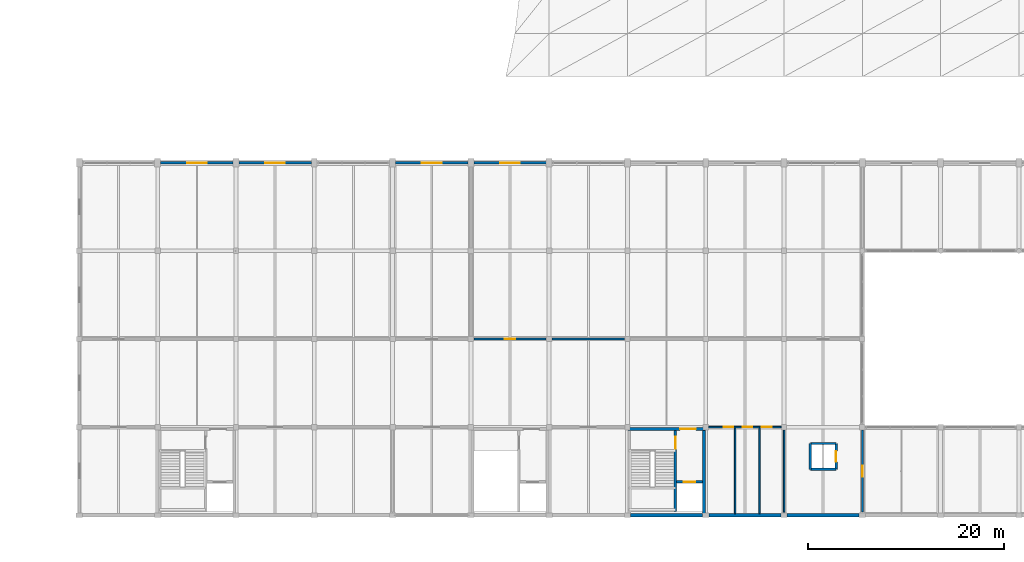
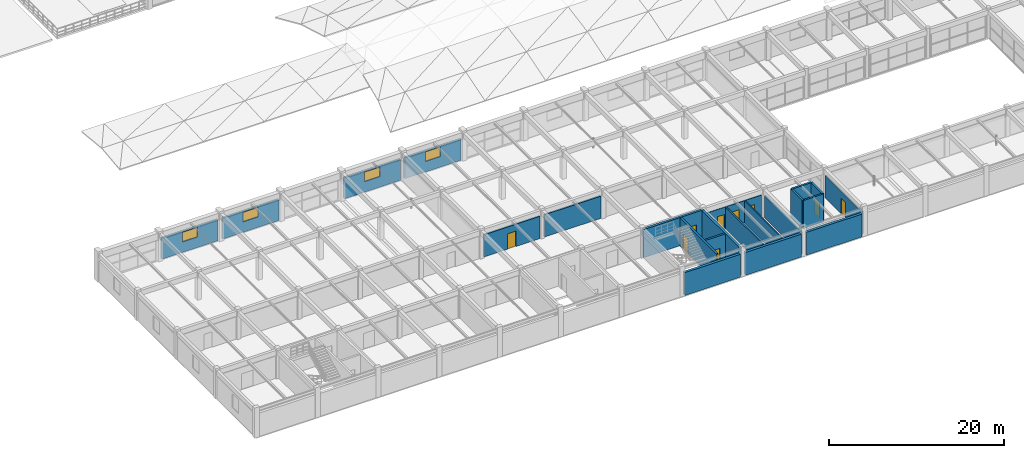
# One storey, part 44 of 63: 24 walls, 9 doors, 4 windows, 13 openings.
"""IFC4 building model written with IfcOpenShell, lengths in metres."""

from ifc_helpers import new_model, si_unit, direction, frame, frame_2d, origin, place, context, subcontext, project, spatial, rectangle, extrude, material, layer, layer_set, type_object, element, fill, save


model = new_model("IFC4")

# Units and contexts
model_context = context("Model", 3, precision=1e-05, world=origin(), true_north=direction((0.0, 1.0)))
body_context = subcontext(model_context, "Body", "Model", "MODEL_VIEW")
ifc_project = project(units=[si_unit("LENGTHUNIT", "METRE"), si_unit("AREAUNIT", "SQUARE_METRE"), si_unit("VOLUMEUNIT", "CUBIC_METRE"), si_unit("PLANEANGLEUNIT", "RADIAN"), si_unit("MASSUNIT", "GRAM", prefix="KILO")], contexts=[model_context])

# Site, building, storey
site_placement = place(None, origin())
site = spatial("IfcSite", under=ifc_project, at=site_placement, CompositionType="ELEMENT")
building_placement = place(site_placement, origin())
building = spatial("IfcBuilding", under=site, at=building_placement, Name="Varnabhumi Central Station", CompositionType="ELEMENT")
storey_placement = place(building_placement, frame((0.0, 0.0, 20.39990234375)))
storey = spatial("IfcBuildingStorey", under=building, at=storey_placement, Name="L04", CompositionType="ELEMENT", Elevation=20.39990234375)

# Wall, opening, door
ifc_material_1 = material(Name="Autoclaved aerated blockwork masonry", Category="masonry")
ifc_layer_1 = layer(ifc_material_1, 0.219970703125, Name="Autoclaved aerated blockwork masonry", Category="masonry")
ifc_layer_set_1 = layer_set([ifc_layer_1], Name="Autoclaved aerated blockwork masonry")
wall_type_1 = type_object("IfcWallType", Name="WAL-COMP-AAC-220", PredefinedType="SOLIDWALL", material=ifc_layer_set_1)
wall_1_placement = place(storey_placement, frame((72.300048828125, 18.0, 0.0), z_axis=(0.0, 0.0, 1.0), x_axis=(1.0, 0.0, 0.0)))
wall_1 = element("IfcWall", 1, at=wall_1_placement, inside=storey, type_object=wall_type_1, Name="Axle Counter and Signalling Equipment Room Corridor Partition 1", PredefinedType="SOLIDWALL", context=body_context, shape_type="SweptSolid", body=[
    extrude(rectangle(XDim=7.39990234375, YDim=0.219970703125, at=frame_2d((3.699951171875, 0.0))), origin(), (0.0, 0.0, 1.0), 3.10009765625),
])
opening_1_placement = place(wall_1_placement, frame((3.14990234375, 0.0, 0.0)))
opening_1 = element("IfcOpeningElement", 2, at=opening_1_placement, cuts=wall_1, Name="Opening FD-60", PredefinedType="OPENING", context=body_context, shape_type="SweptSolid", body=[
    extrude(rectangle(XDim=1.10009765625, YDim=2.14990234375, at=frame_2d((0.550048828125, 1.074951171875))), frame((0.0, 0.119873046875, 0.0), z_axis=(0.0, -1.0, 0.0), x_axis=(1.0, 0.0, 0.0)), (0.0, 0.0, 1.0), 0.239990234375),
])
ifc_material_2 = material(Name="Intumescent-treated hardwood timber", Category="wood")
door_type_1 = type_object("IfcDoorType", Name="DR-FIRE-60-1100", OperationType="NOTDEFINED", PredefinedType="DOOR", material=ifc_material_2)
door_1_placement = place(opening_1_placement, frame((1.10009765625, 0.0, 0.0), z_axis=(0.0, 0.0, 1.0), x_axis=(-1.0, 0.0, 0.0)))
door_1 = element("IfcDoor", 3, at=door_1_placement, inside=storey, type_object=door_type_1, Name="Axle Counter and Signalling Equipment Room Door 1", OperationType="SINGLE_SWING_RIGHT", OverallHeight=2.14990234375, OverallWidth=1.10009765625, PredefinedType="DOOR", context=body_context, shape_type="SweptSolid", body=[
    extrude(rectangle(XDim=1.10009765625, YDim=2.14990234375, at=frame_2d((0.550048828125, 1.074951171875))), frame((0.0, 0.02490234375, 0.0), z_axis=(0.0, -1.0, 0.0), x_axis=(1.0, 0.0, 0.0)), (0.0, 0.0, 1.0), 0.050048828125),
])
fill(opening_1, door_1)

# Wall
wall_2_placement = place(storey_placement, frame((80.300048828125, 18.0, 0.0), z_axis=(0.0, 0.0, 1.0), x_axis=(1.0, 0.0, 0.0)))
element("IfcWall", 4, at=wall_2_placement, inside=storey, type_object=wall_type_1, Name="Axle Counter and Signalling Equipment Room Corridor Partition 2", PredefinedType="SOLIDWALL", context=body_context, shape_type="SweptSolid", body=[
    extrude(rectangle(XDim=7.39990234375, YDim=0.219970703125, at=frame_2d((3.699951171875, 0.0))), origin(), (0.0, 0.0, 1.0), 3.10009765625),
])

# Wall, opening, door
wall_3_placement = place(storey_placement, frame((112.0, 0.300048828125, 0.0), z_axis=(0.0, 0.0, 1.0), x_axis=(0.0, 1.0, 0.0)))
wall_3 = element("IfcWall", 5, at=wall_3_placement, inside=storey, type_object=wall_type_1, Name="Signalling and Telecom Spares Store E Partition 1", PredefinedType="SOLIDWALL", context=body_context, shape_type="SweptSolid", body=[
    extrude(rectangle(XDim=8.39990234375, YDim=0.219970703125, at=frame_2d((4.199951171875, 0.0))), origin(), (0.0, 0.0, 1.0), 3.10009765625),
])
opening_2_placement = place(wall_3_placement, frame((3.64990234375, 0.0, 0.0)))
opening_2 = element("IfcOpeningElement", 6, at=opening_2_placement, cuts=wall_3, Name="Opening FD-60", PredefinedType="OPENING", context=body_context, shape_type="SweptSolid", body=[
    extrude(rectangle(XDim=1.10009765625, YDim=2.14990234375, at=frame_2d((0.550048828125, 1.074951171875))), frame((0.0, 0.119873046875, 0.0), z_axis=(0.0, -1.0, 0.0), x_axis=(1.0, 0.0, 0.0)), (0.0, 0.0, 1.0), 0.239990234375),
])
door_2_placement = place(opening_2_placement, frame((1.10009765625, 0.0, 0.0), z_axis=(0.0, 0.0, 1.0), x_axis=(-1.0, 0.0, 0.0)))
door_2 = element("IfcDoor", 7, at=door_2_placement, inside=storey, type_object=door_type_1, Name="Signalling and Telecom Spares Store Corridor Access Door", OperationType="SINGLE_SWING_LEFT", OverallHeight=2.14990234375, OverallWidth=1.10009765625, PredefinedType="DOOR", context=body_context, shape_type="SweptSolid", body=[
    extrude(rectangle(XDim=1.10009765625, YDim=2.14990234375, at=frame_2d((0.550048828125, 1.074951171875))), frame((0.0, 0.02490234375, 0.0), z_axis=(0.0, -1.0, 0.0), x_axis=(1.0, 0.0, 0.0)), (0.0, 0.0, 1.0), 0.050048828125),
])
fill(opening_2, door_2)

# Wall
ifc_material_3 = material(Name="Concrete M40", Category="concrete")
ifc_layer_2 = layer(ifc_material_3, 0.300048828125, Name="Concrete M40", Category="concrete")
ifc_layer_set_2 = layer_set([ifc_layer_2], Name="Concrete M40")
wall_type_2 = type_object("IfcWallType", Name="WAL-CORE-RC-300", PredefinedType="SHEAR", material=ifc_layer_set_2)
wall_4_placement = place(storey_placement, frame((95.820068359375, 0.179931640625, 0.0), z_axis=(0.0, 0.0, 1.0), x_axis=(0.0, 1.0, 0.0)))
element("IfcWall", 8, at=wall_4_placement, inside=storey, type_object=wall_type_2, Name="SC2 L04 East Shear Wall", PredefinedType="SHEAR", context=body_context, shape_type="SweptSolid", body=[
    extrude(rectangle(XDim=8.64013671875, YDim=0.300048828125, at=frame_2d((4.320068359375, 0.0))), origin(), (0.0, 0.0, 1.0), 3.920166015625),
])

# Wall, opening, door
wall_5_placement = place(storey_placement, frame((88.030029296875, 8.820068359375, 0.0), z_axis=(0.0, 0.0, 1.0), x_axis=(1.0, 0.0, 0.0)))
wall_5 = element("IfcWall", 9, at=wall_5_placement, inside=storey, type_object=wall_type_2, Name="SC2 L04 Corridor Shear Wall", PredefinedType="SHEAR", context=body_context, shape_type="SweptSolid", body=[
    extrude(rectangle(XDim=7.93994140625, YDim=0.300048828125, at=frame_2d((3.969970703125, 0.0))), origin(), (0.0, 0.0, 1.0), 3.920166015625),
])
opening_3_placement = place(wall_5_placement, frame((5.35009765625, 0.0, 0.0)))
opening_3 = element("IfcOpeningElement", 10, at=opening_3_placement, cuts=wall_5, Name="Opening FD-60D", PredefinedType="OPENING", context=body_context, shape_type="SweptSolid", body=[
    extrude(rectangle(XDim=1.60009765625, YDim=2.14990234375, at=frame_2d((0.800048828125, 1.074951171875))), frame((0.0, 0.159912109375, 0.0), z_axis=(0.0, -1.0, 0.0), x_axis=(1.0, 0.0, 0.0)), (0.0, 0.0, 1.0), 0.320068359375),
])
door_type_2 = type_object("IfcDoorType", Name="DR-FIRE-60-1600", OperationType="NOTDEFINED", PredefinedType="DOOR", material=ifc_material_2)
door_3_placement = place(opening_3_placement, origin())
door_3 = element("IfcDoor", 11, at=door_3_placement, inside=storey, type_object=door_type_2, Name="SC2 L04 Lobby Fire Door", OperationType="DOUBLE_DOOR_SINGLE_SWING", OverallHeight=2.14990234375, OverallWidth=1.60009765625, PredefinedType="DOOR", context=body_context, shape_type="SweptSolid", body=[
    extrude(rectangle(XDim=1.60009765625, YDim=2.14990234375, at=frame_2d((0.800048828125, 1.074951171875))), frame((0.0, 0.02490234375, 0.0), z_axis=(0.0, -1.0, 0.0), x_axis=(1.0, 0.0, 0.0)), (0.0, 0.0, 1.0), 0.050048828125),
])
fill(opening_3, door_3)

# Wall, opening, window
ifc_layer_3 = layer(ifc_material_1, 0.260009765625, Name="Autoclaved aerated blockwork masonry", Category="masonry")
ifc_layer_set_3 = layer_set([ifc_layer_3], Name="Autoclaved aerated blockwork masonry")
wall_type_3 = type_object("IfcWallType", Name="WAL-EXT-STUCCO-260", PredefinedType="SOLIDWALL", material=ifc_layer_set_3)
wall_6_placement = place(storey_placement, frame((40.294921875, 36.0, 0.0), z_axis=(0.0, 0.0, 1.0), x_axis=(1.0, 0.0, 0.0)))
wall_6 = element("IfcWall", 12, at=wall_6_placement, inside=storey, type_object=wall_type_3, Name="South Spine Wall L04-2", PredefinedType="SOLIDWALL", context=body_context, shape_type="SweptSolid", body=[
    extrude(rectangle(XDim=7.41015625, YDim=0.260009765625, at=frame_2d((3.705078125, 0.0))), origin(), (0.0, 0.0, 1.0), 2.93017578125),
])
opening_4_placement = place(wall_6_placement, frame((2.705078125, 0.0, 1.449951171875)))
opening_4 = element("IfcOpeningElement", 13, at=opening_4_placement, cuts=wall_6, Name="Opening W-06", PredefinedType="OPENING", context=body_context, shape_type="SweptSolid", body=[
    extrude(rectangle(XDim=2.0, YDim=1.340087890625, at=frame_2d((1.0, 0.669921875))), frame((0.0, 0.139892578125, 0.0), z_axis=(0.0, -1.0, 0.0), x_axis=(1.0, 0.0, 0.0)), (0.0, 0.0, 1.0), 0.280029296875),
])
ifc_material_4 = material(Name="Laminated low-E double glazing", Category="glass")
window_type = type_object("IfcWindowType", Name="WIN-OPS-2000x1900", PartitioningType="DOUBLE_PANEL_VERTICAL", PredefinedType="WINDOW", material=ifc_material_4)
window_1_placement = place(opening_4_placement, origin())
window_1 = element("IfcWindow", 14, at=window_1_placement, inside=storey, type_object=window_type, Name="South Spine Overlook Window L04-2", OverallHeight=1.340087890625, OverallWidth=2.0, PartitioningType="SINGLE_PANEL", PredefinedType="WINDOW", context=body_context, shape_type="SweptSolid", body=[
    extrude(rectangle(XDim=2.0, YDim=1.340087890625, at=frame_2d((1.0, 0.669921875))), frame((0.0, 0.030029296875, 0.0), z_axis=(0.0, -1.0, 0.0), x_axis=(1.0, 0.0, 0.0)), (0.0, 0.0, 1.0), 0.06005859375),
])
fill(opening_4, window_1)

wall_7_placement = place(storey_placement, frame((48.294921875, 36.0, 0.0), z_axis=(0.0, 0.0, 1.0), x_axis=(1.0, 0.0, 0.0)))
wall_7 = element("IfcWall", 15, at=wall_7_placement, inside=storey, type_object=wall_type_3, Name="South Spine Wall L04-3", PredefinedType="SOLIDWALL", context=body_context, shape_type="SweptSolid", body=[
    extrude(rectangle(XDim=7.41015625, YDim=0.260009765625, at=frame_2d((3.705078125, 0.0))), origin(), (0.0, 0.0, 1.0), 2.93017578125),
])
opening_5_placement = place(wall_7_placement, frame((2.705078125, 0.0, 1.449951171875)))
opening_5 = element("IfcOpeningElement", 16, at=opening_5_placement, cuts=wall_7, Name="Opening W-06", PredefinedType="OPENING", context=body_context, shape_type="SweptSolid", body=[
    extrude(rectangle(XDim=2.0, YDim=1.340087890625, at=frame_2d((1.0, 0.669921875))), frame((0.0, 0.139892578125, 0.0), z_axis=(0.0, -1.0, 0.0), x_axis=(1.0, 0.0, 0.0)), (0.0, 0.0, 1.0), 0.280029296875),
])
window_2_placement = place(opening_5_placement, origin())
window_2 = element("IfcWindow", 17, at=window_2_placement, inside=storey, type_object=window_type, Name="South Spine Overlook Window L04-3", OverallHeight=1.340087890625, OverallWidth=2.0, PartitioningType="SINGLE_PANEL", PredefinedType="WINDOW", context=body_context, shape_type="SweptSolid", body=[
    extrude(rectangle(XDim=2.0, YDim=1.340087890625, at=frame_2d((1.0, 0.669921875))), frame((0.0, 0.030029296875, 0.0), z_axis=(0.0, -1.0, 0.0), x_axis=(1.0, 0.0, 0.0)), (0.0, 0.0, 1.0), 0.06005859375),
])
fill(opening_5, window_2)

wall_8_placement = place(storey_placement, frame((64.294921875, 36.0, 0.0), z_axis=(0.0, 0.0, 1.0), x_axis=(1.0, 0.0, 0.0)))
wall_8 = element("IfcWall", 18, at=wall_8_placement, inside=storey, type_object=wall_type_3, Name="South Spine Wall L04-5", PredefinedType="SOLIDWALL", context=body_context, shape_type="SweptSolid", body=[
    extrude(rectangle(XDim=7.41015625, YDim=0.260009765625, at=frame_2d((3.705078125, 0.0))), origin(), (0.0, 0.0, 1.0), 2.93017578125),
])
opening_6_placement = place(wall_8_placement, frame((2.705078125, 0.0, 1.449951171875)))
opening_6 = element("IfcOpeningElement", 19, at=opening_6_placement, cuts=wall_8, Name="Opening W-06", PredefinedType="OPENING", context=body_context, shape_type="SweptSolid", body=[
    extrude(rectangle(XDim=2.0, YDim=1.340087890625, at=frame_2d((1.0, 0.669921875))), frame((0.0, 0.139892578125, 0.0), z_axis=(0.0, -1.0, 0.0), x_axis=(1.0, 0.0, 0.0)), (0.0, 0.0, 1.0), 0.280029296875),
])
window_3_placement = place(opening_6_placement, origin())
window_3 = element("IfcWindow", 20, at=window_3_placement, inside=storey, type_object=window_type, Name="South Spine Overlook Window L04-5", OverallHeight=1.340087890625, OverallWidth=2.0, PartitioningType="SINGLE_PANEL", PredefinedType="WINDOW", context=body_context, shape_type="SweptSolid", body=[
    extrude(rectangle(XDim=2.0, YDim=1.340087890625, at=frame_2d((1.0, 0.669921875))), frame((0.0, 0.030029296875, 0.0), z_axis=(0.0, -1.0, 0.0), x_axis=(1.0, 0.0, 0.0)), (0.0, 0.0, 1.0), 0.06005859375),
])
fill(opening_6, window_3)

wall_9_placement = place(storey_placement, frame((72.294921875, 36.0, 0.0), z_axis=(0.0, 0.0, 1.0), x_axis=(1.0, 0.0, 0.0)))
wall_9 = element("IfcWall", 21, at=wall_9_placement, inside=storey, type_object=wall_type_3, Name="South Spine Wall L04-6", PredefinedType="SOLIDWALL", context=body_context, shape_type="SweptSolid", body=[
    extrude(rectangle(XDim=7.41015625, YDim=0.260009765625, at=frame_2d((3.705078125, 0.0))), origin(), (0.0, 0.0, 1.0), 2.93017578125),
])
opening_7_placement = place(wall_9_placement, frame((2.705078125, 0.0, 1.449951171875)))
opening_7 = element("IfcOpeningElement", 22, at=opening_7_placement, cuts=wall_9, Name="Opening W-06", PredefinedType="OPENING", context=body_context, shape_type="SweptSolid", body=[
    extrude(rectangle(XDim=2.0, YDim=1.340087890625, at=frame_2d((1.0, 0.669921875))), frame((0.0, 0.139892578125, 0.0), z_axis=(0.0, -1.0, 0.0), x_axis=(1.0, 0.0, 0.0)), (0.0, 0.0, 1.0), 0.280029296875),
])
window_4_placement = place(opening_7_placement, origin())
window_4 = element("IfcWindow", 23, at=window_4_placement, inside=storey, type_object=window_type, Name="South Spine Overlook Window L04-6", OverallHeight=1.340087890625, OverallWidth=2.0, PartitioningType="SINGLE_PANEL", PredefinedType="WINDOW", context=body_context, shape_type="SweptSolid", body=[
    extrude(rectangle(XDim=2.0, YDim=1.340087890625, at=frame_2d((1.0, 0.669921875))), frame((0.0, 0.030029296875, 0.0), z_axis=(0.0, -1.0, 0.0), x_axis=(1.0, 0.0, 0.0)), (0.0, 0.0, 1.0), 0.06005859375),
])
fill(opening_7, window_4)

# Wall, opening, door
ifc_layer_4 = layer(ifc_material_1, 0.159912109375, Name="Autoclaved aerated blockwork masonry", Category="masonry")
ifc_layer_set_4 = layer_set([ifc_layer_4], Name="Autoclaved aerated blockwork masonry")
wall_type_4 = type_object("IfcWallType", Name="WAL-PART-AAC-160", PredefinedType="PARTITIONING", material=ifc_layer_set_4)
wall_10_placement = place(storey_placement, frame((96.300048828125, 9.0, 0.0), z_axis=(0.0, 0.0, 1.0), x_axis=(1.0, 0.0, 0.0)))
wall_10 = element("IfcWall", 24, at=wall_10_placement, inside=storey, type_object=wall_type_4, Name="Staff Male WC L04 South Corridor Partition 1", PredefinedType="PARTITIONING", context=body_context, shape_type="SweptSolid", body=[
    extrude(rectangle(XDim=2.699951171875, YDim=0.159912109375, at=frame_2d((1.35009765625, 0.0))), origin(), (0.0, 0.0, 1.0), 3.10009765625),
])
opening_8_placement = place(wall_10_placement, frame((1.550048828125, 0.0, 0.0)))
opening_8 = element("IfcOpeningElement", 25, at=opening_8_placement, cuts=wall_10, Name="Opening D-04", PredefinedType="OPENING", context=body_context, shape_type="SweptSolid", body=[
    extrude(rectangle(XDim=0.949951171875, YDim=2.10009765625, at=frame_2d((0.47509765625, 1.050048828125))), frame((0.0, 0.08984375, 0.0), z_axis=(0.0, -1.0, 0.0), x_axis=(1.0, 0.0, 0.0)), (0.0, 0.0, 1.0), 0.179931640625),
])
door_type_3 = type_object("IfcDoorType", Name="DR-WC-950", OperationType="NOTDEFINED", PredefinedType="DOOR", material=ifc_material_2)
door_4_placement = place(opening_8_placement, origin())
door_4 = element("IfcDoor", 26, at=door_4_placement, inside=storey, type_object=door_type_3, Name="Staff Male WC L04 South Door 1", OperationType="SINGLE_SWING_RIGHT", OverallHeight=2.10009765625, OverallWidth=0.949951171875, PredefinedType="DOOR", context=body_context, shape_type="SweptSolid", body=[
    extrude(rectangle(XDim=0.949951171875, YDim=2.10009765625, at=frame_2d((0.47509765625, 1.050048828125))), frame((0.0, 0.02490234375, 0.0), z_axis=(0.0, -1.0, 0.0), x_axis=(1.0, 0.0, 0.0)), (0.0, 0.0, 1.0), 0.050048828125),
])
fill(opening_8, door_4)

# Wall
wall_11_placement = place(storey_placement, frame((99.0, 0.159912109375, 0.0), z_axis=(0.0, 0.0, 1.0), x_axis=(0.0, 1.0, 0.0)))
element("IfcWall", 27, at=wall_11_placement, inside=storey, type_object=wall_type_4, Name="Staff Male WC L04 South W Partition 1", PredefinedType="PARTITIONING", context=body_context, shape_type="SweptSolid", body=[
    extrude(rectangle(XDim=8.760009765625, YDim=0.159912109375, at=frame_2d((4.3798828125, 0.0))), origin(), (0.0, 0.0, 1.0), 3.10009765625),
])

# Wall, opening, door
wall_12_placement = place(storey_placement, frame((99.0, 9.0, 0.0), z_axis=(0.0, 0.0, 1.0), x_axis=(1.0, 0.0, 0.0)))
wall_12 = element("IfcWall", 28, at=wall_12_placement, inside=storey, type_object=wall_type_4, Name="Staff Female WC L04 South Corridor Partition 1", PredefinedType="PARTITIONING", context=body_context, shape_type="SweptSolid", body=[
    extrude(rectangle(XDim=2.5, YDim=0.159912109375, at=frame_2d((1.25, 0.0))), origin(), (0.0, 0.0, 1.0), 3.10009765625),
])
opening_9_placement = place(wall_12_placement, frame((0.77490234375, 0.0, 0.0)))
opening_9 = element("IfcOpeningElement", 29, at=opening_9_placement, cuts=wall_12, Name="Opening D-04", PredefinedType="OPENING", context=body_context, shape_type="SweptSolid", body=[
    extrude(rectangle(XDim=0.949951171875, YDim=2.10009765625, at=frame_2d((0.47509765625, 1.050048828125))), frame((0.0, 0.08984375, 0.0), z_axis=(0.0, -1.0, 0.0), x_axis=(1.0, 0.0, 0.0)), (0.0, 0.0, 1.0), 0.179931640625),
])
door_5_placement = place(opening_9_placement, origin())
door_5 = element("IfcDoor", 30, at=door_5_placement, inside=storey, type_object=door_type_3, Name="Staff Female WC L04 South Door 1", OperationType="SINGLE_SWING_LEFT", OverallHeight=2.10009765625, OverallWidth=0.949951171875, PredefinedType="DOOR", context=body_context, shape_type="SweptSolid", body=[
    extrude(rectangle(XDim=0.949951171875, YDim=2.10009765625, at=frame_2d((0.47509765625, 1.050048828125))), frame((0.0, 0.02490234375, 0.0), z_axis=(0.0, -1.0, 0.0), x_axis=(1.0, 0.0, 0.0)), (0.0, 0.0, 1.0), 0.050048828125),
])
fill(opening_9, door_5)

# Wall
wall_13_placement = place(storey_placement, frame((101.5, 0.159912109375, 0.0), z_axis=(0.0, 0.0, 1.0), x_axis=(0.0, 1.0, 0.0)))
element("IfcWall", 31, at=wall_13_placement, inside=storey, type_object=wall_type_4, Name="Staff Female WC L04 South W Partition 1", PredefinedType="PARTITIONING", context=body_context, shape_type="SweptSolid", body=[
    extrude(rectangle(XDim=8.760009765625, YDim=0.159912109375, at=frame_2d((4.3798828125, 0.0))), origin(), (0.0, 0.0, 1.0), 3.10009765625),
])

# Wall, opening, door
wall_14_placement = place(storey_placement, frame((101.5, 9.0, 0.0), z_axis=(0.0, 0.0, 1.0), x_axis=(1.0, 0.0, 0.0)))
wall_14 = element("IfcWall", 32, at=wall_14_placement, inside=storey, type_object=wall_type_4, Name="Accessible WC L04 South Corridor Partition 1", PredefinedType="PARTITIONING", context=body_context, shape_type="SweptSolid", body=[
    extrude(rectangle(XDim=2.199951171875, YDim=0.159912109375, at=frame_2d((1.10009765625, 0.0))), origin(), (0.0, 0.0, 1.0), 3.10009765625),
])
opening_10_placement = place(wall_14_placement, frame((0.199951171875, 0.0, 0.0)))
opening_10 = element("IfcOpeningElement", 33, at=opening_10_placement, cuts=wall_14, Name="Opening D-05", PredefinedType="OPENING", context=body_context, shape_type="SweptSolid", body=[
    extrude(rectangle(XDim=1.050048828125, YDim=2.10009765625, at=frame_2d((0.52490234375, 1.050048828125))), frame((0.0, 0.08984375, 0.0), z_axis=(0.0, -1.0, 0.0), x_axis=(1.0, 0.0, 0.0)), (0.0, 0.0, 1.0), 0.179931640625),
])
door_type_4 = type_object("IfcDoorType", Name="DR-ACC-WC-1050", OperationType="NOTDEFINED", PredefinedType="DOOR", material=ifc_material_2)
door_6_placement = place(opening_10_placement, origin())
door_6 = element("IfcDoor", 34, at=door_6_placement, inside=storey, type_object=door_type_4, Name="Accessible WC L04 South Door 1", OperationType="SINGLE_SWING_RIGHT", OverallHeight=2.10009765625, OverallWidth=1.050048828125, PredefinedType="DOOR", context=body_context, shape_type="SweptSolid", body=[
    extrude(rectangle(XDim=1.050048828125, YDim=2.10009765625, at=frame_2d((0.52490234375, 1.050048828125))), frame((0.0, 0.02490234375, 0.0), z_axis=(0.0, -1.0, 0.0), x_axis=(1.0, 0.0, 0.0)), (0.0, 0.0, 1.0), 0.050048828125),
])
fill(opening_10, door_6)

# Wall
wall_15_placement = place(storey_placement, frame((104.0, 0.300048828125, 0.0), z_axis=(0.0, 0.0, 1.0), x_axis=(0.0, 1.0, 0.0)))
element("IfcWall", 35, at=wall_15_placement, inside=storey, type_object=wall_type_4, Name="Accessible WC L04 South W Partition 1", PredefinedType="PARTITIONING", context=body_context, shape_type="SweptSolid", body=[
    extrude(rectangle(XDim=8.39990234375, YDim=0.159912109375, at=frame_2d((4.199951171875, 0.0))), origin(), (0.0, 0.0, 1.0), 3.10009765625),
])

# Wall, opening, door
ifc_layer_5 = layer(ifc_material_3, 0.239990234375, Name="Concrete M40", Category="concrete")
ifc_layer_set_5 = layer_set([ifc_layer_5], Name="Concrete M40")
wall_type_5 = type_object("IfcWallType", Name="WAL-SHAFT-RC-240", PredefinedType="SHEAR", material=ifc_layer_set_5)
wall_16_placement = place(storey_placement, frame((92.89990234375, 0.35009765625, 0.0), z_axis=(0.0, 0.0, 1.0), x_axis=(0.0, 1.0, 0.0)))
wall_16 = element("IfcWall", 36, at=wall_16_placement, inside=storey, type_object=wall_type_5, Name="SC2 L04 Stair-Lobby Divider Wall", PredefinedType="SHEAR", context=body_context, shape_type="SweptSolid", body=[
    extrude(rectangle(XDim=8.2998046875, YDim=0.239990234375, at=frame_2d((4.14990234375, 0.0))), origin(), (0.0, 0.0, 1.0), 3.920166015625),
])
opening_11_placement = place(wall_16_placement, frame((6.449951171875, 0.0, 0.0)))
opening_11 = element("IfcOpeningElement", 37, at=opening_11_placement, cuts=wall_16, Name="Opening FD-120", PredefinedType="OPENING", context=body_context, shape_type="SweptSolid", body=[
    extrude(rectangle(XDim=1.199951171875, YDim=2.14990234375, at=frame_2d((0.60009765625, 1.074951171875))), frame((0.0, 0.1298828125, 0.0), z_axis=(0.0, -1.0, 0.0), x_axis=(1.0, 0.0, 0.0)), (0.0, 0.0, 1.0), 0.260009765625),
])
ifc_material_5 = material(Name="Stainless steel Grade 316", Category="steel")
door_type_5 = type_object("IfcDoorType", Name="DR-FIRE-120-1200", OperationType="NOTDEFINED", PredefinedType="DOOR", material=ifc_material_5)
door_7_placement = place(opening_11_placement, frame((1.199951171875, 0.0, 0.0), z_axis=(0.0, 0.0, 1.0), x_axis=(-1.0, 0.0, 0.0)))
door_7 = element("IfcDoor", 38, at=door_7_placement, inside=storey, type_object=door_type_5, Name="ST-S2 L04 Fire Door", OperationType="SINGLE_SWING_LEFT", OverallHeight=2.14990234375, OverallWidth=1.199951171875, PredefinedType="DOOR", context=body_context, shape_type="SweptSolid", body=[
    extrude(rectangle(XDim=1.199951171875, YDim=2.14990234375, at=frame_2d((0.60009765625, 1.074951171875))), frame((0.0, 0.02490234375, 0.0), z_axis=(0.0, -1.0, 0.0), x_axis=(1.0, 0.0, 0.0)), (0.0, 0.0, 1.0), 0.050048828125),
])
fill(opening_11, door_7)

wall_17_placement = place(storey_placement, frame((93.02001953125, 3.39990234375, 0.0), z_axis=(0.0, 0.0, 1.0), x_axis=(1.0, 0.0, 0.0)))
wall_17 = element("IfcWall", 39, at=wall_17_placement, inside=storey, type_object=wall_type_5, Name="FL-2 L04 Lift Shaft Front Wall", PredefinedType="SHEAR", context=body_context, shape_type="SweptSolid", body=[
    extrude(rectangle(XDim=2.6298828125, YDim=0.239990234375, at=frame_2d((1.31494140625, 0.0))), origin(), (0.0, 0.0, 1.0), 3.920166015625),
])
opening_12_placement = place(wall_17_placement, frame((0.715087890625, 0.0, 0.0)))
opening_12 = element("IfcOpeningElement", 40, at=opening_12_placement, cuts=wall_17, Name="Opening LD-FL-2", PredefinedType="OPENING", context=body_context, shape_type="SweptSolid", body=[
    extrude(rectangle(XDim=1.199951171875, YDim=2.14990234375, at=frame_2d((0.60009765625, 1.074951171875))), frame((0.0, 0.1298828125, 0.0), z_axis=(0.0, -1.0, 0.0), x_axis=(1.0, 0.0, 0.0)), (0.0, 0.0, 1.0), 0.260009765625),
])
door_type_6 = type_object("IfcDoorType", Name="DR-LIFT-FIRE-1200", OperationType="NOTDEFINED", PredefinedType="DOOR", material=ifc_material_5)
door_8_placement = place(opening_12_placement, origin())
door_8 = element("IfcDoor", 41, at=door_8_placement, inside=storey, type_object=door_type_6, Name="Lift Landing Door FL-2 L04", OperationType="DOUBLE_DOOR_SLIDING", OverallHeight=2.14990234375, OverallWidth=1.199951171875, PredefinedType="DOOR", context=body_context, shape_type="SweptSolid", body=[
    extrude(rectangle(XDim=1.199951171875, YDim=2.14990234375, at=frame_2d((0.60009765625, 1.074951171875))), frame((0.0, 0.02490234375, 0.0), z_axis=(0.0, -1.0, 0.0), x_axis=(1.0, 0.0, 0.0)), (0.0, 0.0, 1.0), 0.050048828125),
])
fill(opening_12, door_8)

# Walls
for number, where, z_axis, x_axis, name in (
    (42, (106.679931640625, 4.679931640625, 0.0), (0.0, 0.0, 1.0), (0.0, 1.0, 0.0), "PL-8 L04 Shaft West Wall"),
    (43, (106.679931640625, 4.679931640625, 0.0), (0.0, 0.0, 1.0), (1.0, 0.0, 0.0), "PL-8 L04 Shaft South Wall"),
    (44, (106.679931640625, 7.320068359375, 0.0), (0.0, 0.0, 1.0), (1.0, 0.0, 0.0), "PL-8 L04 Shaft North Wall"),
):
    element("IfcWall", number, at=place(storey_placement, frame(where, z_axis=z_axis, x_axis=x_axis)), inside=storey, type_object=wall_type_5, Name=name, PredefinedType="SHEAR", context=body_context, shape_type="SweptSolid", body=[
        extrude(rectangle(XDim=2.64013671875, YDim=0.239990234375, at=frame_2d((1.320068359375, 0.0))), origin(), (0.0, 0.0, 1.0), 3.920166015625),
    ])

# Wall, opening, door
wall_18_placement = place(storey_placement, frame((109.320068359375, 4.679931640625, 0.0), z_axis=(0.0, 0.0, 1.0), x_axis=(0.0, 1.0, 0.0)))
wall_18 = element("IfcWall", 45, at=wall_18_placement, inside=storey, type_object=wall_type_5, Name="PL-8 L04 Shaft Front Wall", PredefinedType="SHEAR", context=body_context, shape_type="SweptSolid", body=[
    extrude(rectangle(XDim=2.64013671875, YDim=0.239990234375, at=frame_2d((1.320068359375, 0.0))), origin(), (0.0, 0.0, 1.0), 3.920166015625),
])
opening_13_placement = place(wall_18_placement, frame((0.77001953125, 0.0, 0.0)))
opening_13 = element("IfcOpeningElement", 46, at=opening_13_placement, cuts=wall_18, Name="Opening LD-PL-8", PredefinedType="OPENING", context=body_context, shape_type="SweptSolid", body=[
    extrude(rectangle(XDim=1.10009765625, YDim=2.14990234375, at=frame_2d((0.550048828125, 1.074951171875))), frame((0.0, 0.1298828125, 0.0), z_axis=(0.0, -1.0, 0.0), x_axis=(1.0, 0.0, 0.0)), (0.0, 0.0, 1.0), 0.260009765625),
])
door_type_7 = type_object("IfcDoorType", Name="DR-LIFT-PASS-1100", OperationType="NOTDEFINED", PredefinedType="DOOR", material=ifc_material_5)
door_9_placement = place(opening_13_placement, origin())
door_9 = element("IfcDoor", 47, at=door_9_placement, inside=storey, type_object=door_type_7, Name="Lift Landing Door PL-8 L04", OperationType="DOUBLE_DOOR_SLIDING", OverallHeight=2.14990234375, OverallWidth=1.10009765625, PredefinedType="DOOR", context=body_context, shape_type="SweptSolid", body=[
    extrude(rectangle(XDim=1.10009765625, YDim=2.14990234375, at=frame_2d((0.550048828125, 1.074951171875))), frame((0.0, 0.02490234375, 0.0), z_axis=(0.0, -1.0, 0.0), x_axis=(1.0, 0.0, 0.0)), (0.0, 0.0, 1.0), 0.050048828125),
])
fill(opening_13, door_9)

# Walls
ifc_layer_6 = layer(ifc_material_3, 0.340087890625, Name="Concrete M40", Category="concrete")
ifc_layer_set_6 = layer_set([ifc_layer_6], Name="Concrete M40")
wall_type_6 = type_object("IfcWallType", Name="WAL-SOUTH-FIRE-340", PredefinedType="SOLIDWALL", material=ifc_layer_set_6)
for number, where, z_axis, x_axis, name in (
    (48, (88.320068359375, 0.0, 0.0), (0.0, 0.0, 1.0), (1.0, 0.0, 0.0), "South Infill Boundary Fire Wall L04-8"),
    (49, (96.320068359375, 0.0, 0.0), (0.0, 0.0, 1.0), (1.0, 0.0, 0.0), "South Infill Boundary Fire Wall L04-9"),
    (50, (104.320068359375, 0.0, 0.0), (0.0, 0.0, 1.0), (1.0, 0.0, 0.0), "South Infill Boundary Fire Wall L04-10"),
):
    element("IfcWall", number, at=place(storey_placement, frame(where, z_axis=z_axis, x_axis=x_axis)), inside=storey, type_object=wall_type_6, Name=name, PredefinedType="SOLIDWALL", context=body_context, shape_type="SweptSolid", body=[
        extrude(rectangle(XDim=7.35986328125, YDim=0.340087890625, at=frame_2d((3.679931640625, 0.0))), origin(), (0.0, 0.0, 1.0), 3.18017578125),
    ])

save(model, "model.ifc")
